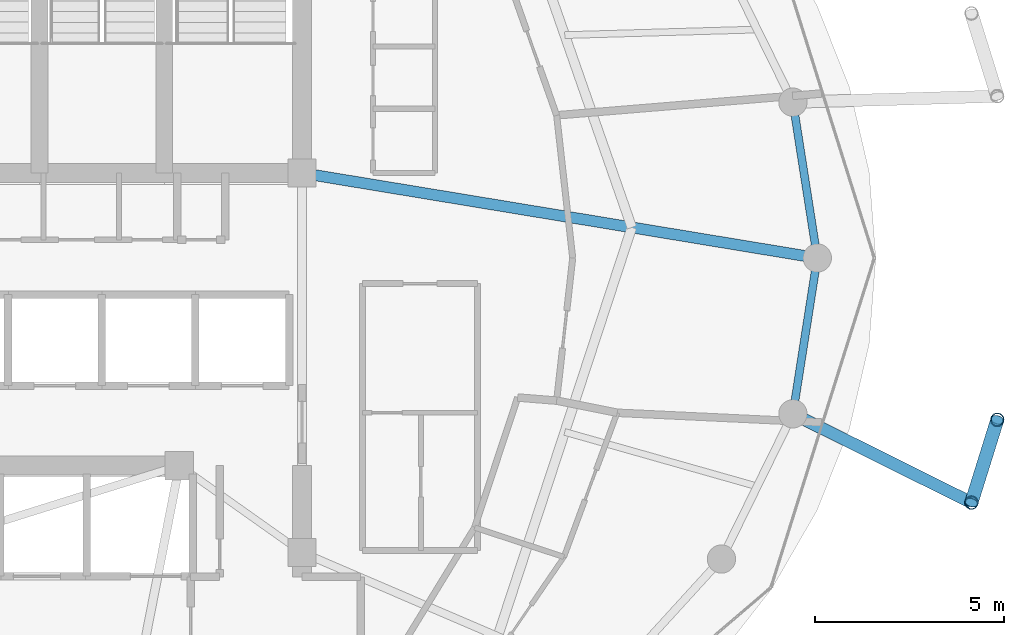
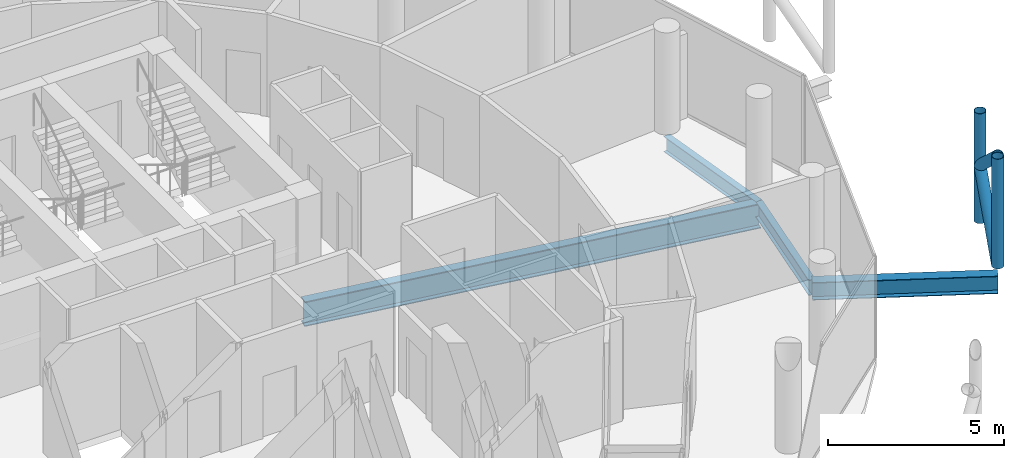
# One storey, part 11 of 24: 4 beams, 4 members.
"""IFC4 building model written with IfcOpenShell, lengths in metres."""

from ifc_helpers import new_model, si_unit, direction, frame, origin, origin_2d, place, context, subcontext, project, spatial, hollow_circle, i_section, extrude, material, material_profile, profile_set, type_object, element, save


model = new_model("IFC4")

# Units and contexts
model_context = context("Model", 3, precision=1e-05, world=origin(), true_north=direction((0.0, 1.0)))
body_context = subcontext(model_context, "Body", "Model", "MODEL_VIEW")
ifc_project = project(units=[si_unit("LENGTHUNIT", "METRE"), si_unit("AREAUNIT", "SQUARE_METRE"), si_unit("VOLUMEUNIT", "CUBIC_METRE"), si_unit("PLANEANGLEUNIT", "RADIAN"), si_unit("MASSUNIT", "GRAM", prefix="KILO")], contexts=[model_context])

# Site, building, storey
site_placement = place(None, origin())
site = spatial("IfcSite", under=ifc_project, at=site_placement, CompositionType="ELEMENT")
building_placement = place(site_placement, origin())
building = spatial("IfcBuilding", under=site, at=building_placement, Name="Nuhasar Tower", CompositionType="ELEMENT")
storey_placement = place(building_placement, frame((0.0, 0.0, 263.199951171875)))
storey = spatial("IfcBuildingStorey", under=building, at=storey_placement, Name="L65", CompositionType="ELEMENT", Elevation=263.199951171875)

# Beams
ifc_material_1 = material(Name="Steel S355", Category="steel")
ifc_material_profile_1 = material_profile(ifc_material_1, i_section(OverallWidth=0.2919921875, OverallDepth=0.85888671875, WebThickness=0.01708984375, FlangeThickness=0.031005859375, at=origin_2d()), Name="W33X169")
ifc_profile_set_1 = profile_set([ifc_material_profile_1], Name="Steel S355")
beam_type_1 = type_object("IfcBeamType", Name="BM-POD-W33X169", PredefinedType="BEAM", material=ifc_profile_set_1)
beam_1_placement = place(storey_placement, frame((44.300048828125, 29.050048828125, -0.68994140625), z_axis=(0.986685215874, -0.162641583786, 0.0), x_axis=(0.162641583786, 0.986685215874, 0.0)))
element("IfcBeam", 1, at=beam_1_placement, inside=storey, type_object=beam_type_1, Name="L65 Radial Floor Girder 04", PredefinedType="BEAM", context=body_context, shape_type="SweptSolid", body=[
    extrude(i_section(OverallWidth=0.2919921875, OverallDepth=0.85888671875, WebThickness=0.01708984375, FlangeThickness=0.031005859375, at=origin_2d()), origin(), (0.0, 0.0, 1.0), 13.833984375),
])
ifc_material_profile_2 = material_profile(ifc_material_1, i_section(OverallWidth=0.2099609375, OverallDepth=0.537109375, WebThickness=0.010986328125, FlangeThickness=0.017333984375, at=origin_2d()), Name="W21X68")
ifc_profile_set_2 = profile_set([ifc_material_profile_2], Name="Steel S355")
beam_type_2 = type_object("IfcBeamType", Name="BM-RING-W21X68", PredefinedType="SPANDREL", material=ifc_profile_set_2)
for number, where, z_axis, x_axis, name in (
    (2, (57.949951171875, 26.800048828125, -0.529052734375), (-0.154612165232, 0.987975241776, 0.0), (-0.987975241776, -0.154612165232, 0.0), "L65 Perimeter Ring Spandrel 01"),
    (3, (57.303955078125, 22.672119140625, -0.529052734375), (0.154612165232, 0.987975241776, 0.0), (-0.987975241776, 0.154612165232, 0.0), "L65 Perimeter Ring Spandrel 24"),
):
    element("IfcBeam", number, at=place(storey_placement, frame(where, z_axis=z_axis, x_axis=x_axis)), inside=storey, type_object=beam_type_2, Name=name, PredefinedType="SPANDREL", context=body_context, shape_type="SweptSolid", body=[
        extrude(i_section(OverallWidth=0.2099609375, OverallDepth=0.537109375, WebThickness=0.010986328125, FlangeThickness=0.017333984375, at=origin_2d()), origin(), (0.0, 0.0, 1.0), 4.17822265625),
    ])
ifc_material_profile_3 = material_profile(ifc_material_1, i_section(OverallWidth=0.323974609375, OverallDepth=0.611083984375, WebThickness=0.0126953125, FlangeThickness=0.01904296875, at=origin_2d()), Name="W24X104")
ifc_profile_set_3 = profile_set([ifc_material_profile_3], Name="Steel S355")
beam_type_3 = type_object("IfcBeamType", Name="BM-TIE-W24X104", PredefinedType="BEAM", material=ifc_profile_set_3)
beam_2_placement = place(storey_placement, frame((57.303955078125, 22.672119140625, -0.56494140625), z_axis=(0.895294451274, -0.445474853969, 0.0), x_axis=(0.445474853969, 0.895294451274, 0.0)))
element("IfcBeam", 4, at=beam_2_placement, inside=storey, type_object=beam_type_3, Name="L65 Exoskeleton Node Tie Beam 12", PredefinedType="BEAM", context=body_context, shape_type="SweptSolid", body=[
    extrude(i_section(OverallWidth=0.323974609375, OverallDepth=0.611083984375, WebThickness=0.0126953125, FlangeThickness=0.01904296875, at=origin_2d()), origin(), (0.0, 0.0, 1.0), 5.281982421875),
])

# Members
ifc_material_2 = material(Name="Steel S460", Category="steel")
ifc_material_profile_4 = material_profile(ifc_material_2, hollow_circle(Radius=0.177734375, WallThickness=0.015869140625, at=origin_2d()), Name="HSS355.6X15.9")
ifc_profile_set_4 = profile_set([ifc_material_profile_4], Name="Steel S460")
member_type = type_object("IfcMemberType", Name="EXO-BRONZE-356", PredefinedType="BRACE", material=ifc_profile_set_4)
for number, where, z_axis, x_axis, name in (
    (5, (62.032958984375, 20.319091796875, 0.0), (0.0, 0.0, 1.0), (1.0, 0.0, 0.0), "L65 Exoskeleton Chord Column EC-12A"),
    (6, (62.718017578125, 22.513916015625, 0.0), (0.0, 0.0, 1.0), (1.0, 0.0, 0.0), "L65 Exoskeleton Chord Column EC-12B"),
):
    element("IfcMember", number, at=place(storey_placement, frame(where, z_axis=z_axis, x_axis=x_axis)), inside=storey, type_object=member_type, Name=name, PredefinedType="BRACE", context=body_context, shape_type="SweptSolid", body=[
        extrude(hollow_circle(Radius=0.177734375, WallThickness=0.015869140625, at=origin_2d()), origin(), (0.0, 0.0, 1.0), 3.800048828125),
    ])
member_1_placement = place(storey_placement, frame((62.032958984375, 20.319091796875, 0.0), z_axis=(0.229669386127, 0.73582600901, 0.637033796232), x_axis=(-0.954581948223, 0.297948492404, 0.0)))
element("IfcMember", 7, at=member_1_placement, inside=storey, type_object=member_type, Name="L65 Bronze Diagrid Brace W1-12", PredefinedType="BRACE", context=body_context, shape_type="SweptSolid", body=[
    extrude(hollow_circle(Radius=0.177734375, WallThickness=0.015869140625, at=origin_2d()), origin(), (0.0, 0.0, 1.0), 2.98291015625),
])
member_2_placement = place(storey_placement, frame((62.718017578125, 22.513916015625, 1.900146484375), z_axis=(-0.229681361446, -0.735864376122, 0.636985158507), x_axis=(0.954581948223, -0.297948492404, 0.0)))
element("IfcMember", 8, at=member_2_placement, inside=storey, type_object=member_type, Name="L65 Bronze Diagrid Brace W2-12", PredefinedType="BRACE", context=body_context, shape_type="SweptSolid", body=[
    extrude(hollow_circle(Radius=0.177734375, WallThickness=0.015869140625, at=origin_2d()), origin(), (0.0, 0.0, 1.0), 2.982666015625),
])

save(model, "model.ifc")
